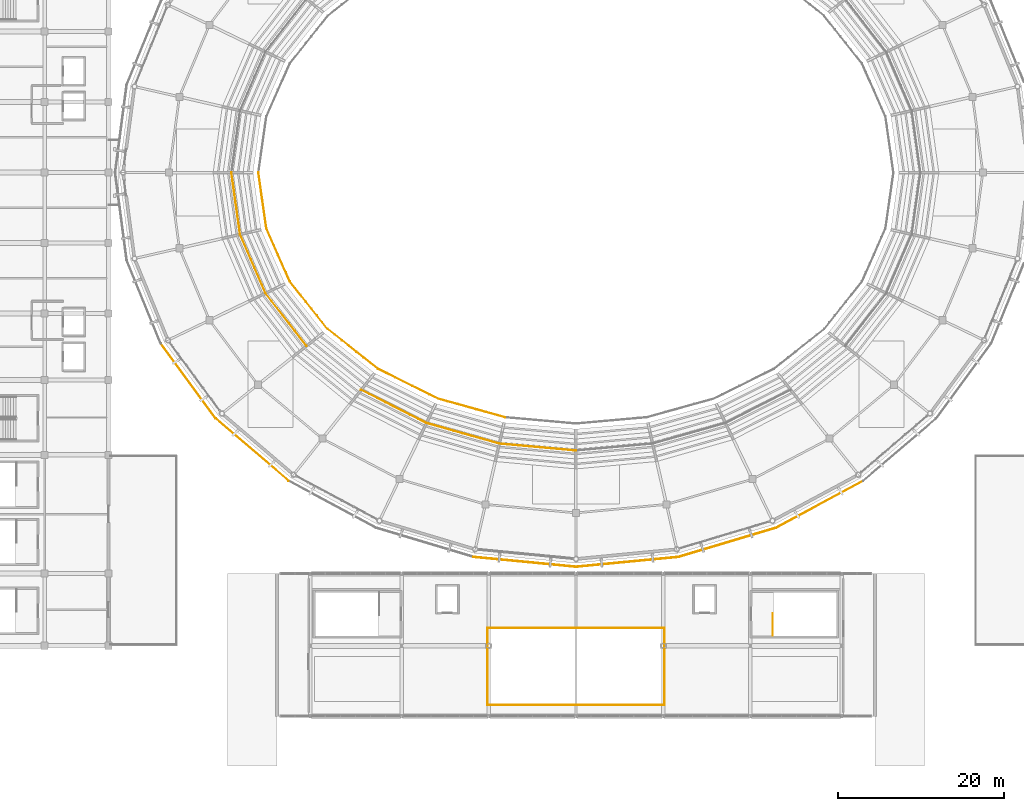
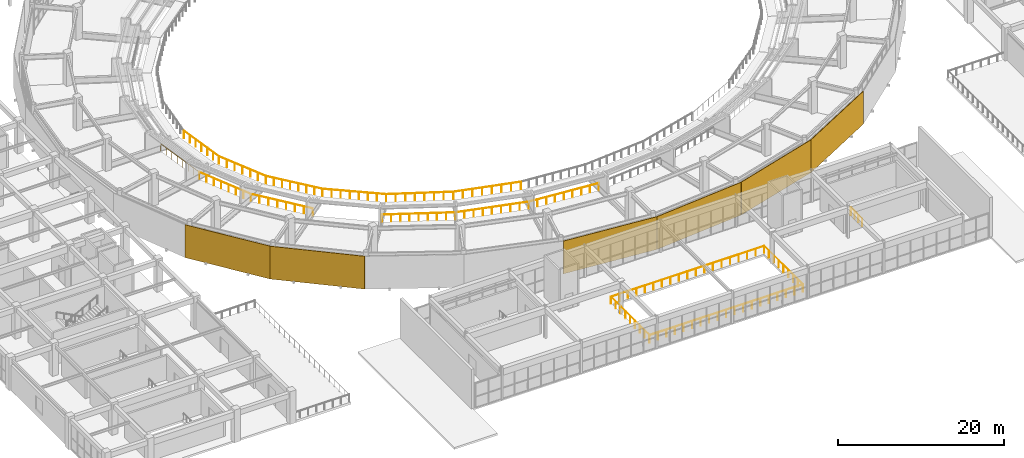
# One storey, part 114 of 122: 17 railings, 6 coverings.
"""IFC4 building model written with IfcOpenShell, lengths in metres."""

import ifcopenshell
import ifcopenshell.guid

model = None  # the IFC model being written
_history = None  # IfcOwnerHistory: only IFC2X3 demands one
_inside = {}  # id of a spatial element -> (the spatial element, [elements in it])
_under = {}  # id of a project, library or spatial element -> (it, [spatial elements below it])
_declared = {}  # id of a project -> (the project, [libraries it declares])
_typed = {}  # id of a type object -> (the type object, [elements of that type])
_made_of = {}  # id of a material, layer set ... -> (it, [elements and type objects made of it])


def new_model(schema):
    """Start an empty IFC model of exactly this schema.

    Asked for "IFC4X3", IfcOpenShell would pick the latest addendum, in which some entities
    have other attributes; the version numbers below select the first issue.
    IFC2X3 requires an IfcOwnerHistory on every rooted entity: one is made here for all.
    """
    global model, _history
    if schema == "IFC4X3":
        model = ifcopenshell.file(schema_version=(4, 3, 0, 0))
    else:
        model = ifcopenshell.file(schema=schema)
    _inside.clear()
    _under.clear()
    _declared.clear()
    _typed.clear()
    _made_of.clear()
    _history = None
    if model.schema == "IFC2X3":
        org = make("IfcOrganization", Name="unknown")
        user = make(
            "IfcPersonAndOrganization",
            ThePerson=make("IfcPerson", FamilyName="unknown"),
            TheOrganization=org,
        )
        app = make(
            "IfcApplication",
            ApplicationDeveloper=org,
            Version="unknown",
            ApplicationFullName="unknown",
            ApplicationIdentifier="unknown",
        )
        _history = make(
            "IfcOwnerHistory",
            OwningUser=user,
            OwningApplication=app,
            ChangeAction="ADDED",
            CreationDate=0,
        )
    return model


def make(cls, **values):
    """One entity of the class cls with the attributes given. An attribute that is None is left unset."""
    return model.create_entity(
        cls, **{name: value for name, value in values.items() if value is not None}
    )


def rooted(cls, **values):
    """An entity with a GlobalId (a new one), such as an element, a storey or a relation."""
    return make(cls, GlobalId=ifcopenshell.guid.new(), OwnerHistory=_history, **values)


def si_unit(unit_type, name, prefix=None):
    """IfcSIUnit, for example si_unit("LENGTHUNIT", "METRE", prefix="MILLI")."""
    return make("IfcSIUnit", UnitType=unit_type, Prefix=prefix, Name=name)


def assignment(units):
    """IfcUnitAssignment: the units of a project."""
    return None if units is None else make("IfcUnitAssignment", Units=units)


def point(xyz):
    """IfcCartesianPoint."""
    return None if xyz is None else make("IfcCartesianPoint", Coordinates=xyz)


def direction(xyz):
    """IfcDirection."""
    return None if xyz is None else make("IfcDirection", DirectionRatios=xyz)


def frame(location, z_axis=None, x_axis=None):
    """IfcAxis2Placement3D, a coordinate frame: its origin and axes. An axis left out is left unset."""
    return make(
        "IfcAxis2Placement3D",
        Location=point(location),
        Axis=direction(z_axis),
        RefDirection=direction(x_axis),
    )


def frame_2d(location, x_axis=None):
    """IfcAxis2Placement2D, a coordinate frame in the plane: its origin and x axis."""
    return make(
        "IfcAxis2Placement2D", Location=point(location), RefDirection=direction(x_axis)
    )


def origin():
    """The frame at (0, 0, 0) with its axes left unset."""
    return frame((0.0, 0.0, 0.0))


def origin_2d():
    """The frame at (0, 0) in the plane with its x axis left unset."""
    return frame_2d((0.0, 0.0))


def place(relative_to, where):
    """IfcLocalPlacement: puts the frame where relative to a parent placement (None: the world)."""
    return make(
        "IfcLocalPlacement", PlacementRelTo=relative_to, RelativePlacement=where
    )


def context(
    kind, dimensions, precision=None, world=None, true_north=None, identifier=None
):
    """IfcGeometricRepresentationContext, for example the 3D "Model" context."""
    return make(
        "IfcGeometricRepresentationContext",
        ContextIdentifier=identifier,
        ContextType=kind,
        CoordinateSpaceDimension=dimensions,
        Precision=precision,
        WorldCoordinateSystem=world,
        TrueNorth=true_north,
    )


def subcontext(parent, identifier, kind, view, scale=None):
    """IfcGeometricRepresentationSubContext, for example "Body" below "Model"."""
    return make(
        "IfcGeometricRepresentationSubContext",
        ContextIdentifier=identifier,
        ContextType=kind,
        ParentContext=parent,
        TargetScale=scale,
        TargetView=view,
    )


def project(units=None, contexts=None):
    """IfcProject with its units and contexts."""
    return rooted(
        "IfcProject",
        Name="project",
        RepresentationContexts=contexts,
        UnitsInContext=assignment(units),
    )


def spatial(cls, under=None, at=None, **own):
    """A site, building, storey or space (cls), placed at a placement, below another one or the project."""
    s = rooted(cls, ObjectPlacement=at, **own)
    if under is not None:
        _under.setdefault(under.id(), (under, []))[1].append(s)
    return s


def profile(cls, at=None, kind="AREA", **sizes):
    """A parametric profile (cls). Its sizes go by their IFC names, for example OverallWidth=200.0."""
    return make(cls, ProfileType=kind, Position=at, **sizes)


def rectangle(**sizes):
    """IfcRectangleProfileDef."""
    return profile("IfcRectangleProfileDef", **sizes)


def circle(**sizes):
    """IfcCircleProfileDef."""
    return profile("IfcCircleProfileDef", **sizes)


def extrude(swept, where, along, depth):
    """IfcExtrudedAreaSolid: the profile swept, set in the frame where, extruded along a direction by depth."""
    return make(
        "IfcExtrudedAreaSolid",
        SweptArea=swept,
        Position=where,
        ExtrudedDirection=direction(along),
        Depth=depth,
    )


def shape(context_of_items, identifier, shape_type, items):
    """IfcShapeRepresentation: the items that make up one representation, for example the "Body"."""
    return make(
        "IfcShapeRepresentation",
        ContextOfItems=context_of_items,
        RepresentationIdentifier=identifier,
        RepresentationType=shape_type,
        Items=items,
    )


def material(Name=None, Category=None):
    """IfcMaterial."""
    return make("IfcMaterial", Name=Name, Category=Category)


def layer(
    of_material, thickness, ventilated=None, Name=None, Category=None, Priority=None
):
    """IfcMaterialLayer: one layer of a wall or slab, of a material (None: an air gap)."""
    return make(
        "IfcMaterialLayer",
        Material=of_material,
        LayerThickness=thickness,
        IsVentilated=ventilated,
        Name=Name,
        Category=Category,
        Priority=Priority,
    )


def layer_set(layers, Name=None):
    """IfcMaterialLayerSet."""
    return make("IfcMaterialLayerSet", MaterialLayers=layers, LayerSetName=Name)


def made_of(thing, what):
    """Note that an element or type object is made of a material, layer set ...; save() writes the relation."""
    if what is not None:
        _made_of.setdefault(what.id(), (what, []))[1].append(thing)
    return thing


def type_object(cls, material=None, **own):
    """A type object (cls), such as IfcWallType, which elements share."""
    return made_of(rooted(cls, **own), material)


def element(
    cls,
    number,
    at=None,
    inside=None,
    cuts=None,
    type_object=None,
    material=None,
    context=None,
    identifier="Body",
    shape_type=None,
    held_by="IfcProductDefinitionShape",
    body=None,
    shapes=None,
    **own,
):
    """One element of the class cls, such as IfcWall. Its Tag is "e" and its number.

    at: its placement. inside: the storey or other place that contains it. cuts: it is an
    opening in that element (IfcRelVoidsElement). A single representation is given by context,
    identifier, shape_type and body (its items); several are given by shapes. held_by: the class
    of the entity that holds the representations. save() writes the other relations.
    """
    e = rooted(cls, Tag="e%d" % number, ObjectPlacement=at, **own)
    if body is not None:
        shapes = [shape(context, identifier, shape_type, body)]
    if shapes is not None:
        e.Representation = make(held_by, Representations=shapes)
    if inside is not None:
        _inside.setdefault(inside.id(), (inside, []))[1].append(e)
    if cuts is not None:
        rooted(
            "IfcRelVoidsElement", RelatingBuildingElement=cuts, RelatedOpeningElement=e
        )
    if type_object is not None:
        _typed.setdefault(type_object.id(), (type_object, []))[1].append(e)
    return made_of(e, material)


def aggregate(whole, parts):
    """IfcRelAggregates: a whole, such as a stair, and the parts it consists of."""
    return rooted("IfcRelAggregates", RelatingObject=whole, RelatedObjects=parts)


def save(model, path):
    """Write the relations noted so far, then the file.

    IfcRelAggregates (storeys below a building ...), IfcRelContainedInSpatialStructure (elements
    in a storey), IfcRelDefinesByType, IfcRelAssociatesMaterial and IfcRelDeclares: one each for
    every whole, place, type object, material and project.
    """
    for whole, parts in _under.values():
        aggregate(whole, parts)
    for where, things in _inside.values():
        rooted(
            "IfcRelContainedInSpatialStructure",
            RelatedElements=things,
            RelatingStructure=where,
        )
    for kind, things in _typed.values():
        rooted("IfcRelDefinesByType", RelatedObjects=things, RelatingType=kind)
    for what, things in _made_of.values():
        rooted("IfcRelAssociatesMaterial", RelatedObjects=things, RelatingMaterial=what)
    for by, libraries in _declared.values():
        rooted("IfcRelDeclares", RelatingContext=by, RelatedDefinitions=libraries)
    model.write(path)


model = new_model("IFC4")

# Units and contexts
model_context = context("Model", 3, precision=1e-05, world=origin(), true_north=direction((0.0, 1.0)))
body_context = subcontext(model_context, "Body", "Model", "MODEL_VIEW")
ifc_project = project(units=[si_unit("LENGTHUNIT", "METRE"), si_unit("AREAUNIT", "SQUARE_METRE"), si_unit("VOLUMEUNIT", "CUBIC_METRE"), si_unit("PLANEANGLEUNIT", "RADIAN"), si_unit("MASSUNIT", "GRAM", prefix="KILO")], contexts=[model_context])

# Site, building, storey
site_placement = place(None, origin())
site = spatial("IfcSite", under=ifc_project, at=site_placement, CompositionType="ELEMENT")
building_placement = place(site_placement, origin())
building = spatial("IfcBuilding", under=site, at=building_placement, Name="Cuetzalor Civic Arena", CompositionType="ELEMENT")
storey_placement = place(building_placement, frame((0.0, 0.0, 16.199951171875)))
storey = spatial("IfcBuildingStorey", under=building, at=storey_placement, Name="L03", CompositionType="ELEMENT", Elevation=16.199951171875)

# Railings
ifc_material_1 = material(Name="Reseda-green Steel S355 and laminated glass guard", Category="steel")
railing_type_1 = type_object("IfcRailingType", Name="BowlSightlineGuard_1100", PredefinedType="BALUSTRADE", material=ifc_material_1)
railing_1_placement = place(storey_placement, frame((-38.25, 0.0, 0.75)))
element("IfcRailing", 1, at=railing_1_placement, inside=storey, type_object=railing_type_1, Name="Upper Bowl Cantilever Sightline Guard S15", PredefinedType="BALUSTRADE", context=body_context, shape_type="SweptSolid", body=[
    extrude(circle(Radius=0.02392578125, at=origin_2d()), frame((0.0, 0.0, 1.076171875), z_axis=(0.141044318144, -0.990003282984, 0.0), x_axis=(0.990003282984, 0.141044318144, 0.0)), (0.0, 0.0, 1.0), 6.799072265625),
    extrude(circle(Radius=0.02099609375, at=origin_2d()), origin(), (0.0, 0.0, 1.0), 1.052001953125),
    extrude(circle(Radius=0.02099609375, at=origin_2d()), frame((0.159912109375, -1.121826171875, 0.0)), (0.0, 0.0, 1.0), 1.052001953125),
    extrude(circle(Radius=0.02099609375, at=origin_2d()), frame((0.319580078125, -2.24365234375, 0.0)), (0.0, 0.0, 1.0), 1.052001953125),
    extrude(circle(Radius=0.02099609375, at=origin_2d()), frame((0.4794921875, -3.36572265625, 0.0)), (0.0, 0.0, 1.0), 1.052001953125),
    extrude(circle(Radius=0.02099609375, at=origin_2d()), frame((0.639404296875, -4.487548828125, 0.0)), (0.0, 0.0, 1.0), 1.052001953125),
    extrude(circle(Radius=0.02099609375, at=origin_2d()), frame((0.799072265625, -5.609375, 0.0)), (0.0, 0.0, 1.0), 1.052001953125),
    extrude(circle(Radius=0.02099609375, at=origin_2d()), frame((0.958984375, -6.731201171875, 0.0)), (0.0, 0.0, 1.0), 1.052001953125),
])
railing_2_placement = place(storey_placement, frame((-37.291015625, -6.731201171875, 0.75)))
element("IfcRailing", 2, at=railing_2_placement, inside=storey, type_object=railing_type_1, Name="Upper Bowl Cantilever Sightline Guard S16", PredefinedType="BALUSTRADE", context=body_context, shape_type="SweptSolid", body=[
    extrude(circle(Radius=0.02392578125, at=origin_2d()), frame((0.0, 0.0, 1.076171875), z_axis=(0.404605422737, -0.914491362393, 0.0), x_axis=(0.914491362393, 0.404605422737, 0.0)), (0.0, 0.0, 1.0), 6.99169921875),
    extrude(circle(Radius=0.02099609375, at=origin_2d()), origin(), (0.0, 0.0, 1.0), 1.052001953125),
    extrude(circle(Radius=0.02099609375, at=origin_2d()), frame((0.471435546875, -1.065673828125, 0.0)), (0.0, 0.0, 1.0), 1.052001953125),
    extrude(circle(Radius=0.02099609375, at=origin_2d()), frame((0.94287109375, -2.13134765625, 0.0)), (0.0, 0.0, 1.0), 1.052001953125),
    extrude(circle(Radius=0.02099609375, at=origin_2d()), frame((1.41455078125, -3.19677734375, 0.0)), (0.0, 0.0, 1.0), 1.052001953125),
    extrude(circle(Radius=0.02099609375, at=origin_2d()), frame((1.885986328125, -4.262451171875, 0.0)), (0.0, 0.0, 1.0), 1.052001953125),
    extrude(circle(Radius=0.02099609375, at=origin_2d()), frame((2.357421875, -5.328125, 0.0)), (0.0, 0.0, 1.0), 1.052001953125),
    extrude(circle(Radius=0.02099609375, at=origin_2d()), frame((2.828857421875, -6.393798828125, 0.0)), (0.0, 0.0, 1.0), 1.052001953125),
])
railing_3_placement = place(storey_placement, frame((-34.462158203125, -13.125, 0.75)))
element("IfcRailing", 3, at=railing_3_placement, inside=storey, type_object=railing_type_1, Name="Upper Bowl Cantilever Sightline Guard S17", PredefinedType="BALUSTRADE", context=body_context, shape_type="SweptSolid", body=[
    extrude(circle(Radius=0.02392578125, at=origin_2d()), frame((0.0, 0.0, 1.076171875), z_axis=(0.622082297612, -0.782951859949, 0.0), x_axis=(0.782951859949, 0.622082297612, 0.0)), (0.0, 0.0, 1.0), 7.32568359375),
    extrude(circle(Radius=0.02099609375, at=origin_2d()), origin(), (0.0, 0.0, 1.0), 1.052001953125),
    extrude(circle(Radius=0.02099609375, at=origin_2d()), frame((0.651123046875, -0.8193359375, 0.0)), (0.0, 0.0, 1.0), 1.052001953125),
    extrude(circle(Radius=0.02099609375, at=origin_2d()), frame((1.302001953125, -1.638671875, 0.0)), (0.0, 0.0, 1.0), 1.052001953125),
    extrude(circle(Radius=0.02099609375, at=origin_2d()), frame((1.953125, -2.4580078125, 0.0)), (0.0, 0.0, 1.0), 1.052001953125),
    extrude(circle(Radius=0.02099609375, at=origin_2d()), frame((2.60400390625, -3.277587890625, 0.0)), (0.0, 0.0, 1.0), 1.052001953125),
    extrude(circle(Radius=0.02099609375, at=origin_2d()), frame((3.255126953125, -4.096923828125, 0.0)), (0.0, 0.0, 1.0), 1.052001953125),
    extrude(circle(Radius=0.02099609375, at=origin_2d()), frame((3.906005859375, -4.916259765625, 0.0)), (0.0, 0.0, 1.0), 1.052001953125),
    extrude(circle(Radius=0.02099609375, at=origin_2d()), frame((4.55712890625, -5.735595703125, 0.0)), (0.0, 0.0, 1.0), 1.052001953125),
])
railing_4_placement = place(storey_placement, frame((-29.905029296875, -18.860595703125, 0.75)))
element("IfcRailing", 4, at=railing_4_placement, inside=storey, type_object=railing_type_1, Name="Upper Bowl Cantilever Sightline Guard S18", PredefinedType="BALUSTRADE", context=body_context, shape_type="SweptSolid", body=[
    extrude(circle(Radius=0.02392578125, at=origin_2d()), frame((0.0, 0.0, 1.076171875), z_axis=(0.784363717402, -0.620301183961, 0.0), x_axis=(0.620301183961, 0.784363717402, 0.0)), (0.0, 0.0, 1.0), 7.7216796875),
    extrude(circle(Radius=0.02099609375, at=origin_2d()), origin(), (0.0, 0.0, 1.0), 1.052001953125),
    extrude(circle(Radius=0.02099609375, at=origin_2d()), frame((0.865234375, -0.684326171875, 0.0)), (0.0, 0.0, 1.0), 1.052001953125),
    extrude(circle(Radius=0.02099609375, at=origin_2d()), frame((1.73046875, -1.368408203125, 0.0)), (0.0, 0.0, 1.0), 1.052001953125),
    extrude(circle(Radius=0.02099609375, at=origin_2d()), frame((2.595703125, -2.052734375, 0.0)), (0.0, 0.0, 1.0), 1.052001953125),
    extrude(circle(Radius=0.02099609375, at=origin_2d()), frame((3.4609375, -2.737060546875, 0.0)), (0.0, 0.0, 1.0), 1.052001953125),
    extrude(circle(Radius=0.02099609375, at=origin_2d()), frame((4.326171875, -3.42138671875, 0.0)), (0.0, 0.0, 1.0), 1.052001953125),
    extrude(circle(Radius=0.02099609375, at=origin_2d()), frame((5.19140625, -4.10546875, 0.0)), (0.0, 0.0, 1.0), 1.052001953125),
    extrude(circle(Radius=0.02099609375, at=origin_2d()), frame((6.056640625, -4.789794921875, 0.0)), (0.0, 0.0, 1.0), 1.052001953125),
])
railing_5_placement = place(storey_placement, frame((-23.848388671875, -23.650390625, 0.75)))
element("IfcRailing", 5, at=railing_5_placement, inside=storey, type_object=railing_type_1, Name="Upper Bowl Cantilever Sightline Guard S19", PredefinedType="BALUSTRADE", context=body_context, shape_type="SweptSolid", body=[
    extrude(circle(Radius=0.02392578125, at=origin_2d()), frame((0.0, 0.0, 1.076171875), z_axis=(0.895515848324, -0.445029623059, 0.0), x_axis=(0.445029623059, 0.895515848324, 0.0)), (0.0, 0.0, 1.0), 8.098388671875),
    extrude(circle(Radius=0.02099609375, at=origin_2d()), origin(), (0.0, 0.0, 1.0), 1.052001953125),
    extrude(circle(Radius=0.02099609375, at=origin_2d()), frame((1.0361328125, -0.514892578125, 0.0)), (0.0, 0.0, 1.0), 1.052001953125),
    extrude(circle(Radius=0.02099609375, at=origin_2d()), frame((2.072021484375, -1.02978515625, 0.0)), (0.0, 0.0, 1.0), 1.052001953125),
    extrude(circle(Radius=0.02099609375, at=origin_2d()), frame((3.108154296875, -1.544677734375, 0.0)), (0.0, 0.0, 1.0), 1.052001953125),
    extrude(circle(Radius=0.02099609375, at=origin_2d()), frame((4.14404296875, -2.059326171875, 0.0)), (0.0, 0.0, 1.0), 1.052001953125),
    extrude(circle(Radius=0.02099609375, at=origin_2d()), frame((5.18017578125, -2.57421875, 0.0)), (0.0, 0.0, 1.0), 1.052001953125),
    extrude(circle(Radius=0.02099609375, at=origin_2d()), frame((6.216064453125, -3.089111328125, 0.0)), (0.0, 0.0, 1.0), 1.052001953125),
    extrude(circle(Radius=0.02099609375, at=origin_2d()), frame((7.252197265625, -3.60400390625, 0.0)), (0.0, 0.0, 1.0), 1.052001953125),
])
railing_6_placement = place(storey_placement, frame((-16.59619140625, -27.25439453125, 0.75)))
element("IfcRailing", 6, at=railing_6_placement, inside=storey, type_object=railing_type_1, Name="Upper Bowl Cantilever Sightline Guard S20", PredefinedType="BALUSTRADE", context=body_context, shape_type="SweptSolid", body=[
    extrude(circle(Radius=0.02392578125, at=origin_2d()), frame((0.0, 0.0, 1.076171875), z_axis=(0.963777223135, -0.266708575353, 0.0), x_axis=(0.266708575353, 0.963777223135, 0.0)), (0.0, 0.0, 1.0), 8.388671875),
    extrude(circle(Radius=0.02099609375, at=origin_2d()), origin(), (0.0, 0.0, 1.0), 1.052001953125),
    extrude(circle(Radius=0.02099609375, at=origin_2d()), frame((1.155029296875, -0.319580078125, 0.0)), (0.0, 0.0, 1.0), 1.052001953125),
    extrude(circle(Radius=0.02099609375, at=origin_2d()), frame((2.309814453125, -0.63916015625, 0.0)), (0.0, 0.0, 1.0), 1.052001953125),
    extrude(circle(Radius=0.02099609375, at=origin_2d()), frame((3.46484375, -0.958740234375, 0.0)), (0.0, 0.0, 1.0), 1.052001953125),
    extrude(circle(Radius=0.02099609375, at=origin_2d()), frame((4.619873046875, -1.278564453125, 0.0)), (0.0, 0.0, 1.0), 1.052001953125),
    extrude(circle(Radius=0.02099609375, at=origin_2d()), frame((5.77490234375, -1.59814453125, 0.0)), (0.0, 0.0, 1.0), 1.052001953125),
    extrude(circle(Radius=0.02099609375, at=origin_2d()), frame((6.9296875, -1.917724609375, 0.0)), (0.0, 0.0, 1.0), 1.052001953125),
    extrude(circle(Radius=0.02099609375, at=origin_2d()), frame((8.084716796875, -2.2373046875, 0.0)), (0.0, 0.0, 1.0), 1.052001953125),
])
railing_7_placement = place(storey_placement, frame((-41.5, 0.0, 0.0)))
element("IfcRailing", 7, at=railing_7_placement, inside=storey, type_object=railing_type_1, Name="Upper Concourse Inner Rim Balustrade S15", PredefinedType="BALUSTRADE", context=body_context, shape_type="SweptSolid", body=[
    extrude(circle(Radius=0.02392578125, at=origin_2d()), frame((0.0, 0.0, 1.076171875), z_axis=(0.138241906656, -0.990398493155, 0.0), x_axis=(0.990398493155, 0.138241906656, 0.0)), (0.0, 0.0, 1.0), 7.52685546875),
    extrude(circle(Radius=0.02099609375, at=origin_2d()), origin(), (0.0, 0.0, 1.0), 1.052001953125),
    extrude(circle(Radius=0.02099609375, at=origin_2d()), frame((0.148681640625, -1.06494140625, 0.0)), (0.0, 0.0, 1.0), 1.052001953125),
    extrude(circle(Radius=0.02099609375, at=origin_2d()), frame((0.29736328125, -2.1298828125, 0.0)), (0.0, 0.0, 1.0), 1.052001953125),
    extrude(circle(Radius=0.02099609375, at=origin_2d()), frame((0.446044921875, -3.19482421875, 0.0)), (0.0, 0.0, 1.0), 1.052001953125),
    extrude(circle(Radius=0.02099609375, at=origin_2d()), frame((0.594482421875, -4.259765625, 0.0)), (0.0, 0.0, 1.0), 1.052001953125),
    extrude(circle(Radius=0.02099609375, at=origin_2d()), frame((0.7431640625, -5.32470703125, 0.0)), (0.0, 0.0, 1.0), 1.052001953125),
    extrude(circle(Radius=0.02099609375, at=origin_2d()), frame((0.891845703125, -6.3896484375, 0.0)), (0.0, 0.0, 1.0), 1.052001953125),
    extrude(circle(Radius=0.02099609375, at=origin_2d()), frame((1.04052734375, -7.45458984375, 0.0)), (0.0, 0.0, 1.0), 1.052001953125),
])
railing_8_placement = place(storey_placement, frame((-40.45947265625, -7.45458984375, 0.0)))
element("IfcRailing", 8, at=railing_8_placement, inside=storey, type_object=railing_type_1, Name="Upper Concourse Inner Rim Balustrade S16", PredefinedType="BALUSTRADE", context=body_context, shape_type="SweptSolid", body=[
    extrude(circle(Radius=0.02392578125, at=origin_2d()), frame((0.0, 0.0, 1.076171875), z_axis=(0.397726401809, -0.917504065007, 0.0), x_axis=(0.917504065007, 0.397726401809, 0.0)), (0.0, 0.0, 1.0), 7.71728515625),
    extrude(circle(Radius=0.02099609375, at=origin_2d()), origin(), (0.0, 0.0, 1.0), 1.052001953125),
    extrude(circle(Radius=0.02099609375, at=origin_2d()), frame((0.4384765625, -1.011474609375, 0.0)), (0.0, 0.0, 1.0), 1.052001953125),
    extrude(circle(Radius=0.02099609375, at=origin_2d()), frame((0.876953125, -2.02294921875, 0.0)), (0.0, 0.0, 1.0), 1.052001953125),
    extrude(circle(Radius=0.02099609375, at=origin_2d()), frame((1.3154296875, -3.034423828125, 0.0)), (0.0, 0.0, 1.0), 1.052001953125),
    extrude(circle(Radius=0.02099609375, at=origin_2d()), frame((1.75390625, -4.046142578125, 0.0)), (0.0, 0.0, 1.0), 1.052001953125),
    extrude(circle(Radius=0.02099609375, at=origin_2d()), frame((2.1923828125, -5.0576171875, 0.0)), (0.0, 0.0, 1.0), 1.052001953125),
    extrude(circle(Radius=0.02099609375, at=origin_2d()), frame((2.630859375, -6.069091796875, 0.0)), (0.0, 0.0, 1.0), 1.052001953125),
    extrude(circle(Radius=0.02099609375, at=origin_2d()), frame((3.0693359375, -7.08056640625, 0.0)), (0.0, 0.0, 1.0), 1.052001953125),
])
railing_9_placement = place(storey_placement, frame((-37.39013671875, -14.53515625, 0.0)))
element("IfcRailing", 9, at=railing_9_placement, inside=storey, type_object=railing_type_1, Name="Upper Concourse Inner Rim Balustrade S17", PredefinedType="BALUSTRADE", context=body_context, shape_type="SweptSolid", body=[
    extrude(circle(Radius=0.02392578125, at=origin_2d()), frame((0.0, 0.0, 1.076171875), z_axis=(0.614234549024, -0.78912351301, 0.0), x_axis=(0.78912351301, 0.614234549024, 0.0)), (0.0, 0.0, 1.0), 8.049072265625),
    extrude(circle(Radius=0.02099609375, at=origin_2d()), origin(), (0.0, 0.0, 1.0), 1.052001953125),
    extrude(circle(Radius=0.02099609375, at=origin_2d()), frame((0.706298828125, -0.907470703125, 0.0)), (0.0, 0.0, 1.0), 1.052001953125),
    extrude(circle(Radius=0.02099609375, at=origin_2d()), frame((1.41259765625, -1.814697265625, 0.0)), (0.0, 0.0, 1.0), 1.052001953125),
    extrude(circle(Radius=0.02099609375, at=origin_2d()), frame((2.118896484375, -2.72216796875, 0.0)), (0.0, 0.0, 1.0), 1.052001953125),
    extrude(circle(Radius=0.02099609375, at=origin_2d()), frame((2.8251953125, -3.629638671875, 0.0)), (0.0, 0.0, 1.0), 1.052001953125),
    extrude(circle(Radius=0.02099609375, at=origin_2d()), frame((3.531494140625, -4.537109375, 0.0)), (0.0, 0.0, 1.0), 1.052001953125),
    extrude(circle(Radius=0.02099609375, at=origin_2d()), frame((4.23779296875, -5.4443359375, 0.0)), (0.0, 0.0, 1.0), 1.052001953125),
    extrude(circle(Radius=0.02099609375, at=origin_2d()), frame((4.944091796875, -6.351806640625, 0.0)), (0.0, 0.0, 1.0), 1.052001953125),
])
railing_10_placement = place(storey_placement, frame((-25.874755859375, -26.19140625, 0.0)))
element("IfcRailing", 10, at=railing_10_placement, inside=storey, type_object=railing_type_1, Name="Upper Concourse Inner Rim Balustrade S19", PredefinedType="BALUSTRADE", context=body_context, shape_type="SweptSolid", body=[
    extrude(circle(Radius=0.02392578125, at=origin_2d()), frame((0.0, 0.0, 1.076171875), z_axis=(0.891833390372, -0.452364016935, 0.0), x_axis=(0.452364016935, 0.891833390372, 0.0)), (0.0, 0.0, 1.0), 8.822998046875),
    extrude(circle(Radius=0.02099609375, at=origin_2d()), origin(), (0.0, 0.0, 1.0), 1.052001953125),
    extrude(circle(Radius=0.02099609375, at=origin_2d()), frame((0.983642578125, -0.4990234375, 0.0)), (0.0, 0.0, 1.0), 1.052001953125),
    extrude(circle(Radius=0.02099609375, at=origin_2d()), frame((1.96728515625, -0.997802734375, 0.0)), (0.0, 0.0, 1.0), 1.052001953125),
    extrude(circle(Radius=0.02099609375, at=origin_2d()), frame((2.95068359375, -1.49658203125, 0.0)), (0.0, 0.0, 1.0), 1.052001953125),
    extrude(circle(Radius=0.02099609375, at=origin_2d()), frame((3.934326171875, -1.99560546875, 0.0)), (0.0, 0.0, 1.0), 1.052001953125),
    extrude(circle(Radius=0.02099609375, at=origin_2d()), frame((4.91796875, -2.49462890625, 0.0)), (0.0, 0.0, 1.0), 1.052001953125),
    extrude(circle(Radius=0.02099609375, at=origin_2d()), frame((5.9013671875, -2.993408203125, 0.0)), (0.0, 0.0, 1.0), 1.052001953125),
    extrude(circle(Radius=0.02099609375, at=origin_2d()), frame((6.885009765625, -3.4921875, 0.0)), (0.0, 0.0, 1.0), 1.052001953125),
    extrude(circle(Radius=0.02099609375, at=origin_2d()), frame((7.86865234375, -3.9912109375, 0.0)), (0.0, 0.0, 1.0), 1.052001953125),
])
railing_11_placement = place(storey_placement, frame((-18.006103515625, -30.1826171875, 0.0)))
element("IfcRailing", 11, at=railing_11_placement, inside=storey, type_object=railing_type_1, Name="Upper Concourse Inner Rim Balustrade S20", PredefinedType="BALUSTRADE", context=body_context, shape_type="SweptSolid", body=[
    extrude(circle(Radius=0.02392578125, at=origin_2d()), frame((0.0, 0.0, 1.076171875), z_axis=(0.962348405043, -0.271818960543, 0.0), x_axis=(0.271818960543, 0.962348405043, 0.0)), (0.0, 0.0, 1.0), 9.11474609375),
    extrude(circle(Radius=0.02099609375, at=origin_2d()), origin(), (0.0, 0.0, 1.0), 1.052001953125),
    extrude(circle(Radius=0.02099609375, at=origin_2d()), frame((1.096435546875, -0.3095703125, 0.0)), (0.0, 0.0, 1.0), 1.052001953125),
    extrude(circle(Radius=0.02099609375, at=origin_2d()), frame((2.19287109375, -0.619384765625, 0.0)), (0.0, 0.0, 1.0), 1.052001953125),
    extrude(circle(Radius=0.02099609375, at=origin_2d()), frame((3.289306640625, -0.92919921875, 0.0)), (0.0, 0.0, 1.0), 1.052001953125),
    extrude(circle(Radius=0.02099609375, at=origin_2d()), frame((4.3857421875, -1.23876953125, 0.0)), (0.0, 0.0, 1.0), 1.052001953125),
    extrude(circle(Radius=0.02099609375, at=origin_2d()), frame((5.482177734375, -1.54833984375, 0.0)), (0.0, 0.0, 1.0), 1.052001953125),
    extrude(circle(Radius=0.02099609375, at=origin_2d()), frame((6.57861328125, -1.858154296875, 0.0)), (0.0, 0.0, 1.0), 1.052001953125),
    extrude(circle(Radius=0.02099609375, at=origin_2d()), frame((7.675048828125, -2.16796875, 0.0)), (0.0, 0.0, 1.0), 1.052001953125),
    extrude(circle(Radius=0.02099609375, at=origin_2d()), frame((8.771484375, -2.4775390625, 0.0)), (0.0, 0.0, 1.0), 1.052001953125),
])
railing_12_placement = place(storey_placement, frame((-9.234619140625, -32.66015625, 0.0)))
element("IfcRailing", 12, at=railing_12_placement, inside=storey, type_object=railing_type_1, Name="Upper Concourse Inner Rim Balustrade S21", PredefinedType="BALUSTRADE", context=body_context, shape_type="SweptSolid", body=[
    extrude(circle(Radius=0.02392578125, at=origin_2d()), frame((0.0, 0.0, 1.076171875), z_axis=(0.995889968673, -0.090571354719, 0.0), x_axis=(0.090571354719, 0.995889968673, 0.0)), (0.0, 0.0, 1.0), 9.272705078125),
    extrude(circle(Radius=0.02099609375, at=origin_2d()), origin(), (0.0, 0.0, 1.0), 1.052001953125),
    extrude(circle(Radius=0.02099609375, at=origin_2d()), frame((1.154296875, -0.10498046875, 0.0)), (0.0, 0.0, 1.0), 1.052001953125),
    extrude(circle(Radius=0.02099609375, at=origin_2d()), frame((2.30859375, -0.2099609375, 0.0)), (0.0, 0.0, 1.0), 1.052001953125),
    extrude(circle(Radius=0.02099609375, at=origin_2d()), frame((3.462890625, -0.31494140625, 0.0)), (0.0, 0.0, 1.0), 1.052001953125),
    extrude(circle(Radius=0.02099609375, at=origin_2d()), frame((4.6171875, -0.419921875, 0.0)), (0.0, 0.0, 1.0), 1.052001953125),
    extrude(circle(Radius=0.02099609375, at=origin_2d()), frame((5.771728515625, -0.52490234375, 0.0)), (0.0, 0.0, 1.0), 1.052001953125),
    extrude(circle(Radius=0.02099609375, at=origin_2d()), frame((6.926025390625, -0.6298828125, 0.0)), (0.0, 0.0, 1.0), 1.052001953125),
    extrude(circle(Radius=0.02099609375, at=origin_2d()), frame((8.080322265625, -0.73486328125, 0.0)), (0.0, 0.0, 1.0), 1.052001953125),
    extrude(circle(Radius=0.02099609375, at=origin_2d()), frame((9.234619140625, -0.83984375, 0.0)), (0.0, 0.0, 1.0), 1.052001953125),
])
ifc_material_2 = material(Name="Reseda-green architectural Steel S355 balustrade", Category="steel")
railing_type_2 = type_object("IfcRailingType", Name="InteriorVoidBalustrade_1100", PredefinedType="BALUSTRADE", material=ifc_material_2)
railing_13_placement = place(storey_placement, frame((23.699951171875, -55.800048828125, 0.0)))
element("IfcRailing", 13, at=railing_13_placement, inside=storey, type_object=railing_type_2, Name="L03 ST-11 top well guard 1", PredefinedType="BALUSTRADE", context=body_context, shape_type="SweptSolid", body=[
    extrude(circle(Radius=0.02392578125, at=origin_2d()), frame((0.0, 0.0, 1.0810546875), z_axis=(0.0, 1.0, 0.0), x_axis=(-1.0, 0.0, 0.0)), (0.0, 0.0, 1.0), 2.699951171875),
    extrude(circle(Radius=0.02099609375, at=origin_2d()), origin(), (0.0, 0.0, 1.0), 1.056884765625),
    extrude(circle(Radius=0.02099609375, at=origin_2d()), frame((0.0, 0.89990234375, 0.0)), (0.0, 0.0, 1.0), 1.056884765625),
    extrude(circle(Radius=0.02099609375, at=origin_2d()), frame((0.0, 1.800048828125, 0.0)), (0.0, 0.0, 1.0), 1.056884765625),
    extrude(circle(Radius=0.02099609375, at=origin_2d()), frame((0.0, 2.699951171875, 0.0)), (0.0, 0.0, 1.0), 1.056884765625),
])
railing_14_placement = place(storey_placement, frame((-10.64990234375, -64.14990234375, 0.0)))
element("IfcRailing", 14, at=railing_14_placement, inside=storey, type_object=railing_type_2, Name="South Foyer Atrium Void Balustrade L03-1", PredefinedType="BALUSTRADE", context=body_context, shape_type="SweptSolid", body=[
    extrude(circle(Radius=0.02392578125, at=origin_2d()), frame((0.0, 0.0, 1.076171875), z_axis=(1.0, 0.0, 0.0), x_axis=(0.0, 1.0, 0.0)), (0.0, 0.0, 1.0), 21.2998046875),
    extrude(circle(Radius=0.02099609375, at=origin_2d()), origin(), (0.0, 0.0, 1.0), 1.052001953125),
    extrude(circle(Radius=0.02099609375, at=origin_2d()), frame((1.183349609375, 0.0, 0.0)), (0.0, 0.0, 1.0), 1.052001953125),
    extrude(circle(Radius=0.02099609375, at=origin_2d()), frame((2.36669921875, 0.0, 0.0)), (0.0, 0.0, 1.0), 1.052001953125),
    extrude(circle(Radius=0.02099609375, at=origin_2d()), frame((3.550048828125, 0.0, 0.0)), (0.0, 0.0, 1.0), 1.052001953125),
    extrude(circle(Radius=0.02099609375, at=origin_2d()), frame((4.7333984375, 0.0, 0.0)), (0.0, 0.0, 1.0), 1.052001953125),
    extrude(circle(Radius=0.02099609375, at=origin_2d()), frame((5.91650390625, 0.0, 0.0)), (0.0, 0.0, 1.0), 1.052001953125),
    extrude(circle(Radius=0.02099609375, at=origin_2d()), frame((7.099853515625, 0.0, 0.0)), (0.0, 0.0, 1.0), 1.052001953125),
    extrude(circle(Radius=0.02099609375, at=origin_2d()), frame((8.283203125, 0.0, 0.0)), (0.0, 0.0, 1.0), 1.052001953125),
    extrude(circle(Radius=0.02099609375, at=origin_2d()), frame((9.466552734375, 0.0, 0.0)), (0.0, 0.0, 1.0), 1.052001953125),
    extrude(circle(Radius=0.02099609375, at=origin_2d()), frame((10.64990234375, 0.0, 0.0)), (0.0, 0.0, 1.0), 1.052001953125),
    extrude(circle(Radius=0.02099609375, at=origin_2d()), frame((11.833251953125, 0.0, 0.0)), (0.0, 0.0, 1.0), 1.052001953125),
    extrude(circle(Radius=0.02099609375, at=origin_2d()), frame((13.0166015625, 0.0, 0.0)), (0.0, 0.0, 1.0), 1.052001953125),
    extrude(circle(Radius=0.02099609375, at=origin_2d()), frame((14.199951171875, 0.0, 0.0)), (0.0, 0.0, 1.0), 1.052001953125),
    extrude(circle(Radius=0.02099609375, at=origin_2d()), frame((15.38330078125, 0.0, 0.0)), (0.0, 0.0, 1.0), 1.052001953125),
    extrude(circle(Radius=0.02099609375, at=origin_2d()), frame((16.56640625, 0.0, 0.0)), (0.0, 0.0, 1.0), 1.052001953125),
    extrude(circle(Radius=0.02099609375, at=origin_2d()), frame((17.749755859375, 0.0, 0.0)), (0.0, 0.0, 1.0), 1.052001953125),
    extrude(circle(Radius=0.02099609375, at=origin_2d()), frame((18.93310546875, 0.0, 0.0)), (0.0, 0.0, 1.0), 1.052001953125),
    extrude(circle(Radius=0.02099609375, at=origin_2d()), frame((20.116455078125, 0.0, 0.0)), (0.0, 0.0, 1.0), 1.052001953125),
    extrude(circle(Radius=0.02099609375, at=origin_2d()), frame((21.2998046875, 0.0, 0.0)), (0.0, 0.0, 1.0), 1.052001953125),
])
railing_15_placement = place(storey_placement, frame((10.64990234375, -64.14990234375, 0.0)))
element("IfcRailing", 15, at=railing_15_placement, inside=storey, type_object=railing_type_2, Name="South Foyer Atrium Void Balustrade L03-2", PredefinedType="BALUSTRADE", context=body_context, shape_type="SweptSolid", body=[
    extrude(circle(Radius=0.02392578125, at=origin_2d()), frame((0.0, 0.0, 1.076171875), z_axis=(0.0, 1.0, 0.0), x_axis=(-1.0, 0.0, 0.0)), (0.0, 0.0, 1.0), 9.2998046875),
    extrude(circle(Radius=0.02099609375, at=origin_2d()), origin(), (0.0, 0.0, 1.0), 1.052001953125),
    extrude(circle(Radius=0.02099609375, at=origin_2d()), frame((0.0, 1.16259765625, 0.0)), (0.0, 0.0, 1.0), 1.052001953125),
    extrude(circle(Radius=0.02099609375, at=origin_2d()), frame((0.0, 2.324951171875, 0.0)), (0.0, 0.0, 1.0), 1.052001953125),
    extrude(circle(Radius=0.02099609375, at=origin_2d()), frame((0.0, 3.4873046875, 0.0)), (0.0, 0.0, 1.0), 1.052001953125),
    extrude(circle(Radius=0.02099609375, at=origin_2d()), frame((0.0, 4.64990234375, 0.0)), (0.0, 0.0, 1.0), 1.052001953125),
    extrude(circle(Radius=0.02099609375, at=origin_2d()), frame((0.0, 5.8125, 0.0)), (0.0, 0.0, 1.0), 1.052001953125),
    extrude(circle(Radius=0.02099609375, at=origin_2d()), frame((0.0, 6.974853515625, 0.0)), (0.0, 0.0, 1.0), 1.052001953125),
    extrude(circle(Radius=0.02099609375, at=origin_2d()), frame((0.0, 8.13720703125, 0.0)), (0.0, 0.0, 1.0), 1.052001953125),
    extrude(circle(Radius=0.02099609375, at=origin_2d()), frame((0.0, 9.2998046875, 0.0)), (0.0, 0.0, 1.0), 1.052001953125),
])
railing_16_placement = place(storey_placement, frame((10.64990234375, -54.85009765625, 0.0)))
element("IfcRailing", 16, at=railing_16_placement, inside=storey, type_object=railing_type_2, Name="South Foyer Atrium Void Balustrade L03-3", PredefinedType="BALUSTRADE", context=body_context, shape_type="SweptSolid", body=[
    extrude(circle(Radius=0.02392578125, at=origin_2d()), frame((0.0, 0.0, 1.076171875), z_axis=(-1.0, 0.0, 0.0), x_axis=(0.0, -1.0, 0.0)), (0.0, 0.0, 1.0), 21.2998046875),
    extrude(circle(Radius=0.02099609375, at=origin_2d()), origin(), (0.0, 0.0, 1.0), 1.052001953125),
    extrude(circle(Radius=0.02099609375, at=origin_2d()), frame((-1.183349609375, 0.0, 0.0)), (0.0, 0.0, 1.0), 1.052001953125),
    extrude(circle(Radius=0.02099609375, at=origin_2d()), frame((-2.36669921875, 0.0, 0.0)), (0.0, 0.0, 1.0), 1.052001953125),
    extrude(circle(Radius=0.02099609375, at=origin_2d()), frame((-3.550048828125, 0.0, 0.0)), (0.0, 0.0, 1.0), 1.052001953125),
    extrude(circle(Radius=0.02099609375, at=origin_2d()), frame((-4.7333984375, 0.0, 0.0)), (0.0, 0.0, 1.0), 1.052001953125),
    extrude(circle(Radius=0.02099609375, at=origin_2d()), frame((-5.91650390625, 0.0, 0.0)), (0.0, 0.0, 1.0), 1.052001953125),
    extrude(circle(Radius=0.02099609375, at=origin_2d()), frame((-7.099853515625, 0.0, 0.0)), (0.0, 0.0, 1.0), 1.052001953125),
    extrude(circle(Radius=0.02099609375, at=origin_2d()), frame((-8.283203125, 0.0, 0.0)), (0.0, 0.0, 1.0), 1.052001953125),
    extrude(circle(Radius=0.02099609375, at=origin_2d()), frame((-9.466552734375, 0.0, 0.0)), (0.0, 0.0, 1.0), 1.052001953125),
    extrude(circle(Radius=0.02099609375, at=origin_2d()), frame((-10.64990234375, 0.0, 0.0)), (0.0, 0.0, 1.0), 1.052001953125),
    extrude(circle(Radius=0.02099609375, at=origin_2d()), frame((-11.833251953125, 0.0, 0.0)), (0.0, 0.0, 1.0), 1.052001953125),
    extrude(circle(Radius=0.02099609375, at=origin_2d()), frame((-13.0166015625, 0.0, 0.0)), (0.0, 0.0, 1.0), 1.052001953125),
    extrude(circle(Radius=0.02099609375, at=origin_2d()), frame((-14.199951171875, 0.0, 0.0)), (0.0, 0.0, 1.0), 1.052001953125),
    extrude(circle(Radius=0.02099609375, at=origin_2d()), frame((-15.38330078125, 0.0, 0.0)), (0.0, 0.0, 1.0), 1.052001953125),
    extrude(circle(Radius=0.02099609375, at=origin_2d()), frame((-16.56640625, 0.0, 0.0)), (0.0, 0.0, 1.0), 1.052001953125),
    extrude(circle(Radius=0.02099609375, at=origin_2d()), frame((-17.749755859375, 0.0, 0.0)), (0.0, 0.0, 1.0), 1.052001953125),
    extrude(circle(Radius=0.02099609375, at=origin_2d()), frame((-18.93310546875, 0.0, 0.0)), (0.0, 0.0, 1.0), 1.052001953125),
    extrude(circle(Radius=0.02099609375, at=origin_2d()), frame((-20.116455078125, 0.0, 0.0)), (0.0, 0.0, 1.0), 1.052001953125),
    extrude(circle(Radius=0.02099609375, at=origin_2d()), frame((-21.2998046875, 0.0, 0.0)), (0.0, 0.0, 1.0), 1.052001953125),
])
railing_17_placement = place(storey_placement, frame((-10.64990234375, -54.85009765625, 0.0)))
element("IfcRailing", 17, at=railing_17_placement, inside=storey, type_object=railing_type_2, Name="South Foyer Atrium Void Balustrade L03-4", PredefinedType="BALUSTRADE", context=body_context, shape_type="SweptSolid", body=[
    extrude(circle(Radius=0.02392578125, at=origin_2d()), frame((0.0, 0.0, 1.076171875), z_axis=(0.0, -1.0, 0.0), x_axis=(1.0, 0.0, 0.0)), (0.0, 0.0, 1.0), 9.2998046875),
    extrude(circle(Radius=0.02099609375, at=origin_2d()), origin(), (0.0, 0.0, 1.0), 1.052001953125),
    extrude(circle(Radius=0.02099609375, at=origin_2d()), frame((0.0, -1.16259765625, 0.0)), (0.0, 0.0, 1.0), 1.052001953125),
    extrude(circle(Radius=0.02099609375, at=origin_2d()), frame((0.0, -2.324951171875, 0.0)), (0.0, 0.0, 1.0), 1.052001953125),
    extrude(circle(Radius=0.02099609375, at=origin_2d()), frame((0.0, -3.4873046875, 0.0)), (0.0, 0.0, 1.0), 1.052001953125),
    extrude(circle(Radius=0.02099609375, at=origin_2d()), frame((0.0, -4.64990234375, 0.0)), (0.0, 0.0, 1.0), 1.052001953125),
    extrude(circle(Radius=0.02099609375, at=origin_2d()), frame((0.0, -5.8125, 0.0)), (0.0, 0.0, 1.0), 1.052001953125),
    extrude(circle(Radius=0.02099609375, at=origin_2d()), frame((0.0, -6.974853515625, 0.0)), (0.0, 0.0, 1.0), 1.052001953125),
    extrude(circle(Radius=0.02099609375, at=origin_2d()), frame((0.0, -8.13720703125, 0.0)), (0.0, 0.0, 1.0), 1.052001953125),
    extrude(circle(Radius=0.02099609375, at=origin_2d()), frame((0.0, -9.2998046875, 0.0)), (0.0, 0.0, 1.0), 1.052001953125),
])

# Coverings
ifc_material_3 = material(Name="Terracotta-red perforated anodised aluminium panel", Category="masonry")
ifc_layer = layer(ifc_material_3, 0.080078125)
ifc_layer_set = layer_set([ifc_layer], Name="Terracotta-red perforated anodised aluminium panel")
covering_type = type_object("IfcCoveringType", Name="TerracottaPerforatedScreenPanel", PredefinedType="CLADDING", material=ifc_layer_set)
covering_1_placement = place(storey_placement, frame((-43.3916015625, -29.61572265625, -0.139892578125), z_axis=(0.0, 0.0, 1.0), x_axis=(-0.591819224601, 0.806070719846, 0.0)))
element("IfcCovering", 18, at=covering_1_placement, inside=storey, type_object=covering_type, Name="Terracotta Perforated Drum Screen L03-S17", PredefinedType="CLADDING", context=body_context, shape_type="SweptSolid", body=[
    extrude(rectangle(XDim=11.1728515625, YDim=0.080078125, at=frame_2d((5.58642578125, 0.0))), origin(), (0.0, 0.0, 1.0), 4.81982421875),
])
covering_2_placement = place(storey_placement, frame((-34.603759765625, -37.136962890625, -0.139892578125), z_axis=(0.0, 0.0, 1.0), x_axis=(-0.759734649699, 0.650233236652, 0.0)))
element("IfcCovering", 19, at=covering_2_placement, inside=storey, type_object=covering_type, Name="Terracotta Perforated Drum Screen L03-S18", PredefinedType="CLADDING", context=body_context, shape_type="SweptSolid", body=[
    extrude(rectangle(XDim=11.56689453125, YDim=0.080078125, at=frame_2d((5.783447265625, 0.0))), origin(), (0.0, 0.0, 1.0), 4.81982421875),
])
for number, where, z_axis, x_axis, name in (
    (20, (0.0, -47.5, -0.139892578125), (0.0, 0.0, 1.0), (-0.995382637025, 0.095986488157, 0.0), "Terracotta Perforated Drum Screen L03-S21"),
    (21, (12.349853515625, -46.30908203125, -0.139892578125), (0.0, 0.0, 1.0), (-0.995382637025, -0.095986488157, 0.0), "Terracotta Perforated Drum Screen L03-S22"),
):
    element("IfcCovering", number, at=place(storey_placement, frame(where, z_axis=z_axis, x_axis=x_axis)), inside=storey, type_object=covering_type, Name=name, PredefinedType="CLADDING", context=body_context, shape_type="SweptSolid", body=[
        extrude(rectangle(XDim=12.4072265625, YDim=0.080078125, at=frame_2d((6.20361328125, 0.0))), origin(), (0.0, 0.0, 1.0), 4.81982421875),
    ])
covering_3_placement = place(storey_placement, frame((24.08056640625, -42.7958984375, -0.139892578125), z_axis=(0.0, 0.0, 1.0), x_axis=(-0.957961714935, -0.286896066056, 0.0)))
element("IfcCovering", 22, at=covering_3_placement, inside=storey, type_object=covering_type, Name="Terracotta Perforated Drum Screen L03-S23", PredefinedType="CLADDING", context=body_context, shape_type="SweptSolid", body=[
    extrude(rectangle(XDim=12.24560546875, YDim=0.080078125, at=frame_2d((6.122802734375, 0.0))), origin(), (0.0, 0.0, 1.0), 4.81982421875),
])
covering_4_placement = place(storey_placement, frame((34.603759765625, -37.136962890625, -0.139892578125), z_axis=(0.0, 0.0, 1.0), x_axis=(-0.880729476331, -0.473619667584, 0.0)))
element("IfcCovering", 23, at=covering_4_placement, inside=storey, type_object=covering_type, Name="Terracotta Perforated Drum Screen L03-S24", PredefinedType="CLADDING", context=body_context, shape_type="SweptSolid", body=[
    extrude(rectangle(XDim=11.9482421875, YDim=0.080078125, at=frame_2d((5.97412109375, 0.0))), origin(), (0.0, 0.0, 1.0), 4.81982421875),
])

save(model, "model.ifc")
